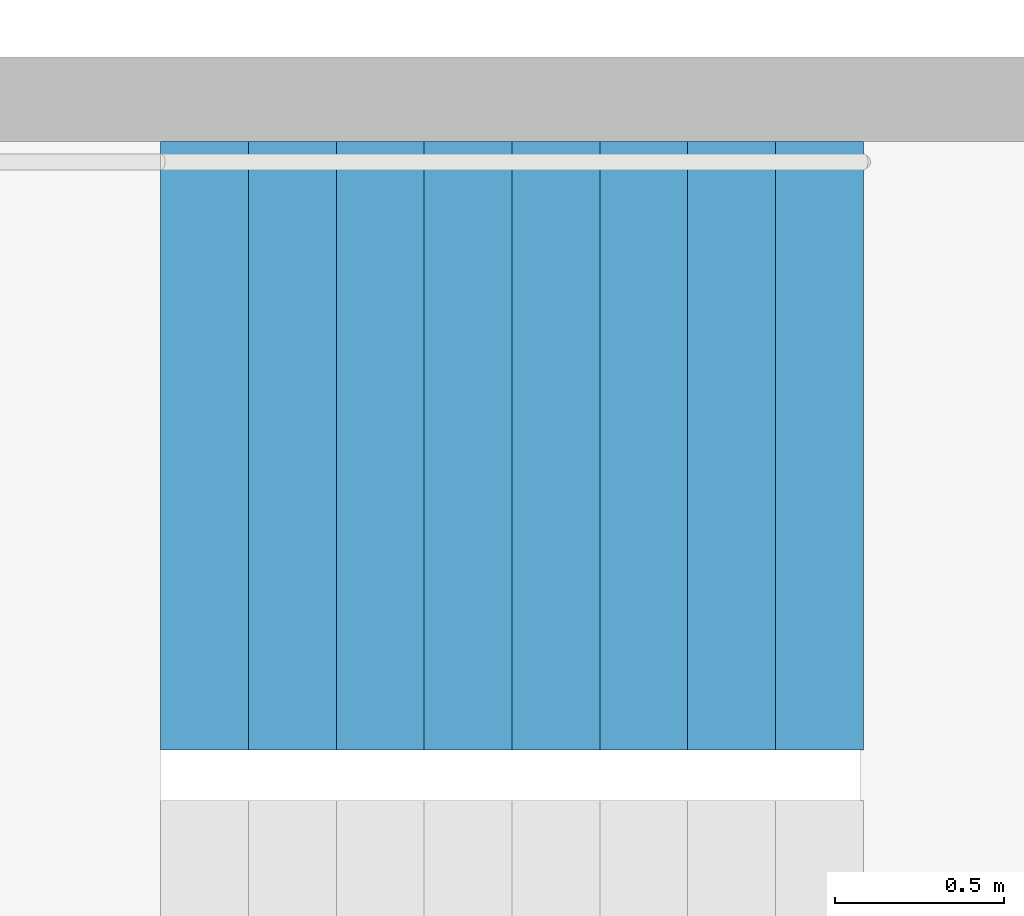
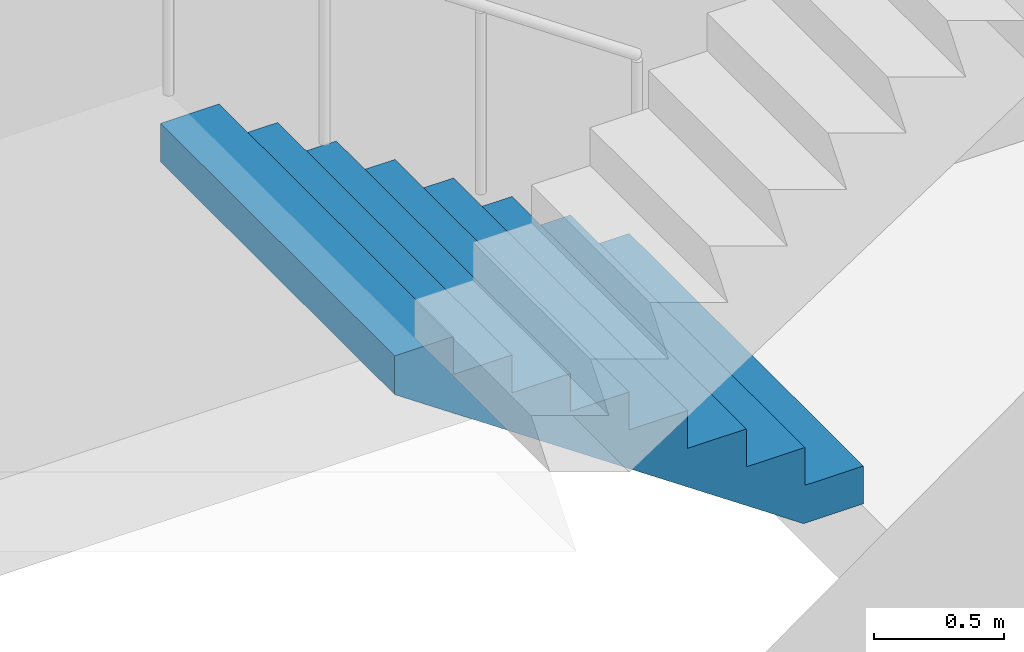
# One storey, part 19 of 26: 1 stair flight, 1 element without a shape of its own.
"""IFC4 building model written with IfcOpenShell, lengths in metres."""

from ifc_helpers import new_model, si_unit, direction, frame, origin, place, context, subcontext, project, spatial, triangles, material, type_object, element, aggregate, save


model = new_model("IFC4")

# Units and contexts
model_context = context("Model", 3, precision=1e-05, world=origin(), true_north=direction((0.0, 1.0)))
body_context = subcontext(model_context, "Body", "Model", "MODEL_VIEW")
ifc_project = project(units=[si_unit("LENGTHUNIT", "METRE"), si_unit("AREAUNIT", "SQUARE_METRE"), si_unit("VOLUMEUNIT", "CUBIC_METRE"), si_unit("PLANEANGLEUNIT", "RADIAN"), si_unit("MASSUNIT", "GRAM", prefix="KILO")], contexts=[model_context])

# Site, building, storey
site_placement = place(None, origin())
site = spatial("IfcSite", under=ifc_project, at=site_placement, CompositionType="ELEMENT")
building_placement = place(site_placement, origin())
building = spatial("IfcBuilding", under=site, at=building_placement, Name="Hakoniwa Tower and Hamabe Station Hall", CompositionType="ELEMENT")
storey_placement = place(building_placement, frame((0.0, 0.0, 212.199951171875)))
storey = spatial("IfcBuildingStorey", under=building, at=storey_placement, Name="L60", CompositionType="ELEMENT", Elevation=212.199951171875)

# Stair, stair flight
ifc_material_1 = material(Name="Concrete C40", Category="concrete")
stair_type = type_object("IfcStairType", Name="ESCAPE STAIR 1800", PredefinedType="HALF_TURN_STAIR", material=ifc_material_1)
stair_placement = place(storey_placement, origin())
stair = element("IfcStair", 1, at=stair_placement, inside=storey, type_object=stair_type, Name="Escape stair ST-2 L60", PredefinedType="HALF_TURN_STAIR")
ifc_material_2 = material(Name="Concrete C40", Category="concrete")
stair_flight_type = type_object("IfcStairFlightType", Name="STAIR FLIGHT 1800", PredefinedType="STRAIGHT", material=ifc_material_2)
stair_flight_placement = place(storey_placement, frame((-23.39990234375, -4.64990234375, 0.0), z_axis=(0.0, 0.0, 1.0), x_axis=(-1.0, 0.0, 0.0)))
stair_flight = element("IfcStairFlight", 2, at=stair_flight_placement, type_object=stair_flight_type, Name="ST-2 flight 1", NumberOfRisers=9, NumberOfTreads=8, PredefinedType="STRAIGHT", RiserHeight=0.177777778, TreadLength=0.26, context=body_context, shape_type="Tessellation", body=[
    triangles([(0.0, 0.89990234375, 0.0), (0.260009765625, 0.89990234375, 0.0), (0.265625, 0.89990234375, 0.0), (0.52001953125, 0.89990234375, 0.174072265625), (0.780029296875, 0.89990234375, 0.351806640625), (1.0400390625, 0.89990234375, 0.529541015625), (1.300048828125, 0.89990234375, 0.707275390625), (1.56005859375, 0.89990234375, 0.885009765625), (1.820068359375, 0.89990234375, 1.062744140625), (2.080078125, 0.89990234375, 1.24072265625), (2.080078125, 0.89990234375, 1.422119140625), (1.820068359375, 0.89990234375, 1.422119140625), (1.820068359375, 0.89990234375, 1.244384765625), (1.56005859375, 0.89990234375, 1.244384765625), (1.56005859375, 0.89990234375, 1.066650390625), (1.300048828125, 0.89990234375, 1.066650390625), (1.300048828125, 0.89990234375, 0.888916015625), (1.0400390625, 0.89990234375, 0.888916015625), (1.0400390625, 0.89990234375, 0.711181640625), (0.780029296875, 0.89990234375, 0.711181640625), (0.780029296875, 0.89990234375, 0.533447265625), (0.52001953125, 0.89990234375, 0.533447265625), (0.52001953125, 0.89990234375, 0.35546875), (0.265625, 0.89990234375, 0.35546875), (0.260009765625, 0.89990234375, 0.35546875), (0.260009765625, 0.89990234375, 0.177734375), (0.0, 0.89990234375, 0.177734375), (0.0, 0.06005859375, 0.0), (0.260009765625, 0.06005859375, 0.0), (0.265625, 0.06005859375, 0.0), (0.52001953125, 0.06005859375, 0.174072265625), (0.780029296875, 0.06005859375, 0.351806640625), (1.0400390625, 0.06005859375, 0.529541015625), (1.300048828125, 0.06005859375, 0.707275390625), (1.56005859375, 0.06005859375, 0.885009765625), (1.820068359375, 0.06005859375, 1.062744140625), (2.080078125, 0.06005859375, 1.24072265625), (2.080078125, 0.06005859375, 1.422119140625), (1.820068359375, 0.06005859375, 1.422119140625), (1.820068359375, 0.06005859375, 1.244384765625), (1.56005859375, 0.06005859375, 1.244384765625), (1.56005859375, 0.06005859375, 1.066650390625), (1.300048828125, 0.06005859375, 1.066650390625), (1.300048828125, 0.06005859375, 0.888916015625), (1.0400390625, 0.06005859375, 0.888916015625), (1.0400390625, 0.06005859375, 0.711181640625), (0.780029296875, 0.06005859375, 0.711181640625), (0.780029296875, 0.06005859375, 0.533447265625), (0.52001953125, 0.06005859375, 0.533447265625), (0.52001953125, 0.06005859375, 0.35546875), (0.265625, 0.06005859375, 0.35546875), (0.260009765625, 0.06005859375, 0.35546875), (0.260009765625, 0.06005859375, 0.177734375), (0.0, 0.06005859375, 0.177734375), (0.0, 0.04296875, 0.0), (0.260009765625, 0.04296875, 0.0), (0.265625, 0.04296875, 0.0), (0.52001953125, 0.04296875, 0.174072265625), (0.780029296875, 0.04296875, 0.351806640625), (1.0400390625, 0.04296875, 0.529541015625), (1.300048828125, 0.04296875, 0.707275390625), (1.56005859375, 0.04296875, 0.885009765625), (1.820068359375, 0.04296875, 1.062744140625), (2.080078125, 0.04296875, 1.24072265625), (2.080078125, 0.04296875, 1.422119140625), (1.820068359375, 0.04296875, 1.422119140625), (1.820068359375, 0.04296875, 1.244384765625), (1.56005859375, 0.04296875, 1.244384765625), (1.56005859375, 0.04296875, 1.066650390625), (1.300048828125, 0.04296875, 1.066650390625), (1.300048828125, 0.04296875, 0.888916015625), (1.0400390625, 0.04296875, 0.888916015625), (1.0400390625, 0.04296875, 0.711181640625), (0.780029296875, 0.04296875, 0.711181640625), (0.780029296875, 0.04296875, 0.533447265625), (0.52001953125, 0.04296875, 0.533447265625), (0.52001953125, 0.04296875, 0.35546875), (0.265625, 0.04296875, 0.35546875), (0.260009765625, 0.04296875, 0.35546875), (0.260009765625, 0.04296875, 0.177734375), (0.0, 0.04296875, 0.177734375), (0.0, 0.025634765625, 0.0), (0.260009765625, 0.025634765625, 0.0), (0.265625, 0.025634765625, 0.0), (0.52001953125, 0.025634765625, 0.174072265625), (0.780029296875, 0.025634765625, 0.351806640625), (1.0400390625, 0.025634765625, 0.529541015625), (1.300048828125, 0.025634765625, 0.707275390625), (1.56005859375, 0.025634765625, 0.885009765625), (1.820068359375, 0.025634765625, 1.062744140625), (2.080078125, 0.025634765625, 1.24072265625), (2.080078125, 0.025634765625, 1.422119140625), (1.820068359375, 0.025634765625, 1.422119140625), (1.820068359375, 0.025634765625, 1.244384765625), (1.56005859375, 0.025634765625, 1.244384765625), (1.56005859375, 0.025634765625, 1.066650390625), (1.300048828125, 0.025634765625, 1.066650390625), (1.300048828125, 0.025634765625, 0.888916015625), (1.0400390625, 0.025634765625, 0.888916015625), (1.0400390625, 0.025634765625, 0.711181640625), (0.780029296875, 0.025634765625, 0.711181640625), (0.780029296875, 0.025634765625, 0.533447265625), (0.52001953125, 0.025634765625, 0.533447265625), (0.52001953125, 0.025634765625, 0.35546875), (0.265625, 0.025634765625, 0.35546875), (0.260009765625, 0.025634765625, 0.35546875), (0.260009765625, 0.025634765625, 0.177734375), (0.0, 0.025634765625, 0.177734375), (0.0, 0.008544921875, 0.0), (0.260009765625, 0.008544921875, 0.0), (0.265625, 0.008544921875, 0.0), (0.52001953125, 0.008544921875, 0.174072265625), (0.780029296875, 0.008544921875, 0.351806640625), (1.0400390625, 0.008544921875, 0.529541015625), (1.300048828125, 0.008544921875, 0.707275390625), (1.56005859375, 0.008544921875, 0.885009765625), (1.820068359375, 0.008544921875, 1.062744140625), (2.080078125, 0.008544921875, 1.24072265625), (2.080078125, 0.008544921875, 1.422119140625), (1.820068359375, 0.008544921875, 1.422119140625), (1.820068359375, 0.008544921875, 1.244384765625), (1.56005859375, 0.008544921875, 1.244384765625), (1.56005859375, 0.008544921875, 1.066650390625), (1.300048828125, 0.008544921875, 1.066650390625), (1.300048828125, 0.008544921875, 0.888916015625), (1.0400390625, 0.008544921875, 0.888916015625), (1.0400390625, 0.008544921875, 0.711181640625), (0.780029296875, 0.008544921875, 0.711181640625), (0.780029296875, 0.008544921875, 0.533447265625), (0.52001953125, 0.008544921875, 0.533447265625), (0.52001953125, 0.008544921875, 0.35546875), (0.265625, 0.008544921875, 0.35546875), (0.260009765625, 0.008544921875, 0.35546875), (0.260009765625, 0.008544921875, 0.177734375), (0.0, 0.008544921875, 0.177734375), (0.0, -0.008544921875, 0.0), (0.260009765625, -0.008544921875, 0.0), (0.265625, -0.008544921875, 0.0), (0.52001953125, -0.008544921875, 0.174072265625), (0.780029296875, -0.008544921875, 0.351806640625), (1.0400390625, -0.008544921875, 0.529541015625), (1.300048828125, -0.008544921875, 0.707275390625), (1.56005859375, -0.008544921875, 0.885009765625), (1.820068359375, -0.008544921875, 1.062744140625), (2.080078125, -0.008544921875, 1.24072265625), (2.080078125, -0.008544921875, 1.422119140625), (1.820068359375, -0.008544921875, 1.422119140625), (1.820068359375, -0.008544921875, 1.244384765625), (1.56005859375, -0.008544921875, 1.244384765625), (1.56005859375, -0.008544921875, 1.066650390625), (1.300048828125, -0.008544921875, 1.066650390625), (1.300048828125, -0.008544921875, 0.888916015625), (1.0400390625, -0.008544921875, 0.888916015625), (1.0400390625, -0.008544921875, 0.711181640625), (0.780029296875, -0.008544921875, 0.711181640625), (0.780029296875, -0.008544921875, 0.533447265625), (0.52001953125, -0.008544921875, 0.533447265625), (0.52001953125, -0.008544921875, 0.35546875), (0.265625, -0.008544921875, 0.35546875), (0.260009765625, -0.008544921875, 0.35546875), (0.260009765625, -0.008544921875, 0.177734375), (0.0, -0.008544921875, 0.177734375), (0.0, -0.025634765625, 0.0), (0.260009765625, -0.025634765625, 0.0), (0.265625, -0.025634765625, 0.0), (0.52001953125, -0.025634765625, 0.174072265625), (0.780029296875, -0.025634765625, 0.351806640625), (1.0400390625, -0.025634765625, 0.529541015625), (1.300048828125, -0.025634765625, 0.707275390625), (1.56005859375, -0.025634765625, 0.885009765625), (1.820068359375, -0.025634765625, 1.062744140625), (2.080078125, -0.025634765625, 1.24072265625), (2.080078125, -0.025634765625, 1.422119140625), (1.820068359375, -0.025634765625, 1.422119140625), (1.820068359375, -0.025634765625, 1.244384765625), (1.56005859375, -0.025634765625, 1.244384765625), (1.56005859375, -0.025634765625, 1.066650390625), (1.300048828125, -0.025634765625, 1.066650390625), (1.300048828125, -0.025634765625, 0.888916015625), (1.0400390625, -0.025634765625, 0.888916015625), (1.0400390625, -0.025634765625, 0.711181640625), (0.780029296875, -0.025634765625, 0.711181640625), (0.780029296875, -0.025634765625, 0.533447265625), (0.52001953125, -0.025634765625, 0.533447265625), (0.52001953125, -0.025634765625, 0.35546875), (0.265625, -0.025634765625, 0.35546875), (0.260009765625, -0.025634765625, 0.35546875), (0.260009765625, -0.025634765625, 0.177734375), (0.0, -0.025634765625, 0.177734375), (0.0, -0.04296875, 0.0), (0.260009765625, -0.04296875, 0.0), (0.265625, -0.04296875, 0.0), (0.52001953125, -0.04296875, 0.174072265625), (0.780029296875, -0.04296875, 0.351806640625), (1.0400390625, -0.04296875, 0.529541015625), (1.300048828125, -0.04296875, 0.707275390625), (1.56005859375, -0.04296875, 0.885009765625), (1.820068359375, -0.04296875, 1.062744140625), (2.080078125, -0.04296875, 1.24072265625), (2.080078125, -0.04296875, 1.422119140625), (1.820068359375, -0.04296875, 1.422119140625), (1.820068359375, -0.04296875, 1.244384765625), (1.56005859375, -0.04296875, 1.244384765625), (1.56005859375, -0.04296875, 1.066650390625), (1.300048828125, -0.04296875, 1.066650390625), (1.300048828125, -0.04296875, 0.888916015625), (1.0400390625, -0.04296875, 0.888916015625), (1.0400390625, -0.04296875, 0.711181640625), (0.780029296875, -0.04296875, 0.711181640625), (0.780029296875, -0.04296875, 0.533447265625), (0.52001953125, -0.04296875, 0.533447265625), (0.52001953125, -0.04296875, 0.35546875), (0.265625, -0.04296875, 0.35546875), (0.260009765625, -0.04296875, 0.35546875), (0.260009765625, -0.04296875, 0.177734375), (0.0, -0.04296875, 0.177734375), (0.0, -0.06005859375, 0.0), (0.260009765625, -0.06005859375, 0.0), (0.265625, -0.06005859375, 0.0), (0.52001953125, -0.06005859375, 0.174072265625), (0.780029296875, -0.06005859375, 0.351806640625), (1.0400390625, -0.06005859375, 0.529541015625), (1.300048828125, -0.06005859375, 0.707275390625), (1.56005859375, -0.06005859375, 0.885009765625), (1.820068359375, -0.06005859375, 1.062744140625), (2.080078125, -0.06005859375, 1.24072265625), (2.080078125, -0.06005859375, 1.422119140625), (1.820068359375, -0.06005859375, 1.422119140625), (1.820068359375, -0.06005859375, 1.244384765625), (1.56005859375, -0.06005859375, 1.244384765625), (1.56005859375, -0.06005859375, 1.066650390625), (1.300048828125, -0.06005859375, 1.066650390625), (1.300048828125, -0.06005859375, 0.888916015625), (1.0400390625, -0.06005859375, 0.888916015625), (1.0400390625, -0.06005859375, 0.711181640625), (0.780029296875, -0.06005859375, 0.711181640625), (0.780029296875, -0.06005859375, 0.533447265625), (0.52001953125, -0.06005859375, 0.533447265625), (0.52001953125, -0.06005859375, 0.35546875), (0.265625, -0.06005859375, 0.35546875), (0.260009765625, -0.06005859375, 0.35546875), (0.260009765625, -0.06005859375, 0.177734375), (0.0, -0.06005859375, 0.177734375), (0.0, -0.89990234375, 0.0), (0.260009765625, -0.89990234375, 0.0), (0.265625, -0.89990234375, 0.0), (0.52001953125, -0.89990234375, 0.174072265625), (0.780029296875, -0.89990234375, 0.351806640625), (1.0400390625, -0.89990234375, 0.529541015625), (1.300048828125, -0.89990234375, 0.707275390625), (1.56005859375, -0.89990234375, 0.885009765625), (1.820068359375, -0.89990234375, 1.062744140625), (2.080078125, -0.89990234375, 1.24072265625), (2.080078125, -0.89990234375, 1.422119140625), (1.820068359375, -0.89990234375, 1.422119140625), (1.820068359375, -0.89990234375, 1.244384765625), (1.56005859375, -0.89990234375, 1.244384765625), (1.56005859375, -0.89990234375, 1.066650390625), (1.300048828125, -0.89990234375, 1.066650390625), (1.300048828125, -0.89990234375, 0.888916015625), (1.0400390625, -0.89990234375, 0.888916015625), (1.0400390625, -0.89990234375, 0.711181640625), (0.780029296875, -0.89990234375, 0.711181640625), (0.780029296875, -0.89990234375, 0.533447265625), (0.52001953125, -0.89990234375, 0.533447265625), (0.52001953125, -0.89990234375, 0.35546875), (0.265625, -0.89990234375, 0.35546875), (0.260009765625, -0.89990234375, 0.35546875), (0.260009765625, -0.89990234375, 0.177734375), (0.0, -0.89990234375, 0.177734375)], [[2, 27, 26], [245, 269, 270], [2, 1, 27], [245, 270, 244], [3, 25, 24], [246, 267, 268], [3, 26, 25], [246, 268, 269], [3, 2, 26], [246, 269, 245], [4, 24, 23], [247, 266, 267], [4, 3, 24], [247, 267, 246], [5, 22, 21], [248, 264, 265], [5, 23, 22], [248, 265, 266], [5, 4, 23], [248, 266, 247], [6, 20, 19], [249, 262, 263], [6, 21, 20], [249, 263, 264], [6, 5, 21], [249, 264, 248], [7, 18, 17], [250, 260, 261], [7, 19, 18], [250, 261, 262], [7, 6, 19], [250, 262, 249], [8, 16, 15], [251, 258, 259], [8, 17, 16], [251, 259, 260], [8, 7, 17], [251, 260, 250], [9, 14, 13], [252, 256, 257], [9, 15, 14], [252, 257, 258], [9, 8, 15], [252, 258, 251], [10, 12, 11], [253, 254, 255], [10, 13, 12], [253, 255, 256], [10, 9, 13], [253, 256, 252], [1, 2, 29], [1, 29, 28], [28, 29, 56], [28, 56, 55], [55, 56, 83], [55, 83, 82], [82, 83, 110], [82, 110, 109], [109, 110, 137], [109, 137, 136], [136, 137, 164], [136, 164, 163], [163, 164, 191], [163, 191, 190], [190, 191, 218], [190, 218, 217], [217, 218, 245], [217, 245, 244], [2, 3, 30], [2, 30, 29], [29, 30, 57], [29, 57, 56], [56, 57, 84], [56, 84, 83], [83, 84, 111], [83, 111, 110], [110, 111, 138], [110, 138, 137], [137, 138, 165], [137, 165, 164], [164, 165, 192], [164, 192, 191], [191, 192, 219], [191, 219, 218], [218, 219, 246], [218, 246, 245], [3, 4, 31], [3, 31, 30], [30, 31, 58], [30, 58, 57], [57, 58, 85], [57, 85, 84], [84, 85, 112], [84, 112, 111], [111, 112, 139], [111, 139, 138], [138, 139, 166], [138, 166, 165], [165, 166, 193], [165, 193, 192], [192, 193, 220], [192, 220, 219], [219, 220, 247], [219, 247, 246], [4, 5, 32], [4, 32, 31], [31, 32, 59], [31, 59, 58], [58, 59, 86], [58, 86, 85], [85, 86, 113], [85, 113, 112], [112, 113, 140], [112, 140, 139], [139, 140, 167], [139, 167, 166], [166, 167, 194], [166, 194, 193], [193, 194, 221], [193, 221, 220], [220, 221, 248], [220, 248, 247], [5, 6, 33], [5, 33, 32], [32, 33, 60], [32, 60, 59], [59, 60, 87], [59, 87, 86], [86, 87, 114], [86, 114, 113], [113, 114, 141], [113, 141, 140], [140, 141, 168], [140, 168, 167], [167, 168, 195], [167, 195, 194], [194, 195, 222], [194, 222, 221], [221, 222, 249], [221, 249, 248], [6, 7, 34], [6, 34, 33], [33, 34, 61], [33, 61, 60], [60, 61, 88], [60, 88, 87], [87, 88, 115], [87, 115, 114], [114, 115, 142], [114, 142, 141], [141, 142, 169], [141, 169, 168], [168, 169, 196], [168, 196, 195], [195, 196, 223], [195, 223, 222], [222, 223, 250], [222, 250, 249], [7, 8, 35], [7, 35, 34], [34, 35, 62], [34, 62, 61], [61, 62, 89], [61, 89, 88], [88, 89, 116], [88, 116, 115], [115, 116, 143], [115, 143, 142], [142, 143, 170], [142, 170, 169], [169, 170, 197], [169, 197, 196], [196, 197, 224], [196, 224, 223], [223, 224, 251], [223, 251, 250], [8, 9, 36], [8, 36, 35], [35, 36, 63], [35, 63, 62], [62, 63, 90], [62, 90, 89], [89, 90, 117], [89, 117, 116], [116, 117, 144], [116, 144, 143], [143, 144, 171], [143, 171, 170], [170, 171, 198], [170, 198, 197], [197, 198, 225], [197, 225, 224], [224, 225, 252], [224, 252, 251], [9, 10, 37], [9, 37, 36], [36, 37, 64], [36, 64, 63], [63, 64, 91], [63, 91, 90], [90, 91, 118], [90, 118, 117], [117, 118, 145], [117, 145, 144], [144, 145, 172], [144, 172, 171], [171, 172, 199], [171, 199, 198], [198, 199, 226], [198, 226, 225], [225, 226, 253], [225, 253, 252], [10, 11, 38], [10, 38, 37], [37, 38, 65], [37, 65, 64], [64, 65, 92], [64, 92, 91], [91, 92, 119], [91, 119, 118], [118, 119, 146], [118, 146, 145], [145, 146, 173], [145, 173, 172], [172, 173, 200], [172, 200, 199], [199, 200, 227], [199, 227, 226], [226, 227, 254], [226, 254, 253], [11, 12, 39], [11, 39, 38], [38, 39, 66], [38, 66, 65], [65, 66, 93], [65, 93, 92], [92, 93, 120], [92, 120, 119], [119, 120, 147], [119, 147, 146], [146, 147, 174], [146, 174, 173], [173, 174, 201], [173, 201, 200], [200, 201, 228], [200, 228, 227], [227, 228, 255], [227, 255, 254], [12, 13, 40], [12, 40, 39], [39, 40, 67], [39, 67, 66], [66, 67, 94], [66, 94, 93], [93, 94, 121], [93, 121, 120], [120, 121, 148], [120, 148, 147], [147, 148, 175], [147, 175, 174], [174, 175, 202], [174, 202, 201], [201, 202, 229], [201, 229, 228], [228, 229, 256], [228, 256, 255], [13, 14, 41], [13, 41, 40], [40, 41, 68], [40, 68, 67], [67, 68, 95], [67, 95, 94], [94, 95, 122], [94, 122, 121], [121, 122, 149], [121, 149, 148], [148, 149, 176], [148, 176, 175], [175, 176, 203], [175, 203, 202], [202, 203, 230], [202, 230, 229], [229, 230, 257], [229, 257, 256], [14, 15, 42], [14, 42, 41], [41, 42, 69], [41, 69, 68], [68, 69, 96], [68, 96, 95], [95, 96, 123], [95, 123, 122], [122, 123, 150], [122, 150, 149], [149, 150, 177], [149, 177, 176], [176, 177, 204], [176, 204, 203], [203, 204, 231], [203, 231, 230], [230, 231, 258], [230, 258, 257], [15, 16, 43], [15, 43, 42], [42, 43, 70], [42, 70, 69], [69, 70, 97], [69, 97, 96], [96, 97, 124], [96, 124, 123], [123, 124, 151], [123, 151, 150], [150, 151, 178], [150, 178, 177], [177, 178, 205], [177, 205, 204], [204, 205, 232], [204, 232, 231], [231, 232, 259], [231, 259, 258], [16, 17, 44], [16, 44, 43], [43, 44, 71], [43, 71, 70], [70, 71, 98], [70, 98, 97], [97, 98, 125], [97, 125, 124], [124, 125, 152], [124, 152, 151], [151, 152, 179], [151, 179, 178], [178, 179, 206], [178, 206, 205], [205, 206, 233], [205, 233, 232], [232, 233, 260], [232, 260, 259], [17, 18, 45], [17, 45, 44], [44, 45, 72], [44, 72, 71], [71, 72, 99], [71, 99, 98], [98, 99, 126], [98, 126, 125], [125, 126, 153], [125, 153, 152], [152, 153, 180], [152, 180, 179], [179, 180, 207], [179, 207, 206], [206, 207, 234], [206, 234, 233], [233, 234, 261], [233, 261, 260], [18, 19, 46], [18, 46, 45], [45, 46, 73], [45, 73, 72], [72, 73, 100], [72, 100, 99], [99, 100, 127], [99, 127, 126], [126, 127, 154], [126, 154, 153], [153, 154, 181], [153, 181, 180], [180, 181, 208], [180, 208, 207], [207, 208, 235], [207, 235, 234], [234, 235, 262], [234, 262, 261], [19, 20, 47], [19, 47, 46], [46, 47, 74], [46, 74, 73], [73, 74, 101], [73, 101, 100], [100, 101, 128], [100, 128, 127], [127, 128, 155], [127, 155, 154], [154, 155, 182], [154, 182, 181], [181, 182, 209], [181, 209, 208], [208, 209, 236], [208, 236, 235], [235, 236, 263], [235, 263, 262], [20, 21, 48], [20, 48, 47], [47, 48, 75], [47, 75, 74], [74, 75, 102], [74, 102, 101], [101, 102, 129], [101, 129, 128], [128, 129, 156], [128, 156, 155], [155, 156, 183], [155, 183, 182], [182, 183, 210], [182, 210, 209], [209, 210, 237], [209, 237, 236], [236, 237, 264], [236, 264, 263], [21, 22, 49], [21, 49, 48], [48, 49, 76], [48, 76, 75], [75, 76, 103], [75, 103, 102], [102, 103, 130], [102, 130, 129], [129, 130, 157], [129, 157, 156], [156, 157, 184], [156, 184, 183], [183, 184, 211], [183, 211, 210], [210, 211, 238], [210, 238, 237], [237, 238, 265], [237, 265, 264], [22, 23, 50], [22, 50, 49], [49, 50, 77], [49, 77, 76], [76, 77, 104], [76, 104, 103], [103, 104, 131], [103, 131, 130], [130, 131, 158], [130, 158, 157], [157, 158, 185], [157, 185, 184], [184, 185, 212], [184, 212, 211], [211, 212, 239], [211, 239, 238], [238, 239, 266], [238, 266, 265], [23, 24, 51], [23, 51, 50], [50, 51, 78], [50, 78, 77], [77, 78, 105], [77, 105, 104], [104, 105, 132], [104, 132, 131], [131, 132, 159], [131, 159, 158], [158, 159, 186], [158, 186, 185], [185, 186, 213], [185, 213, 212], [212, 213, 240], [212, 240, 239], [239, 240, 267], [239, 267, 266], [24, 25, 52], [24, 52, 51], [51, 52, 79], [51, 79, 78], [78, 79, 106], [78, 106, 105], [105, 106, 133], [105, 133, 132], [132, 133, 160], [132, 160, 159], [159, 160, 187], [159, 187, 186], [186, 187, 214], [186, 214, 213], [213, 214, 241], [213, 241, 240], [240, 241, 268], [240, 268, 267], [25, 26, 53], [25, 53, 52], [52, 53, 80], [52, 80, 79], [79, 80, 107], [79, 107, 106], [106, 107, 134], [106, 134, 133], [133, 134, 161], [133, 161, 160], [160, 161, 188], [160, 188, 187], [187, 188, 215], [187, 215, 214], [214, 215, 242], [214, 242, 241], [241, 242, 269], [241, 269, 268], [26, 27, 54], [26, 54, 53], [53, 54, 81], [53, 81, 80], [80, 81, 108], [80, 108, 107], [107, 108, 135], [107, 135, 134], [134, 135, 162], [134, 162, 161], [161, 162, 189], [161, 189, 188], [188, 189, 216], [188, 216, 215], [215, 216, 243], [215, 243, 242], [242, 243, 270], [242, 270, 269], [27, 1, 28], [27, 28, 54], [54, 28, 55], [54, 55, 81], [81, 55, 82], [81, 82, 108], [108, 82, 109], [108, 109, 135], [135, 109, 136], [135, 136, 162], [162, 136, 163], [162, 163, 189], [189, 163, 190], [189, 190, 216], [216, 190, 217], [216, 217, 243], [243, 217, 244], [243, 244, 270]], closed=True),
])
aggregate(stair, [stair_flight])

save(model, "model.ifc")
